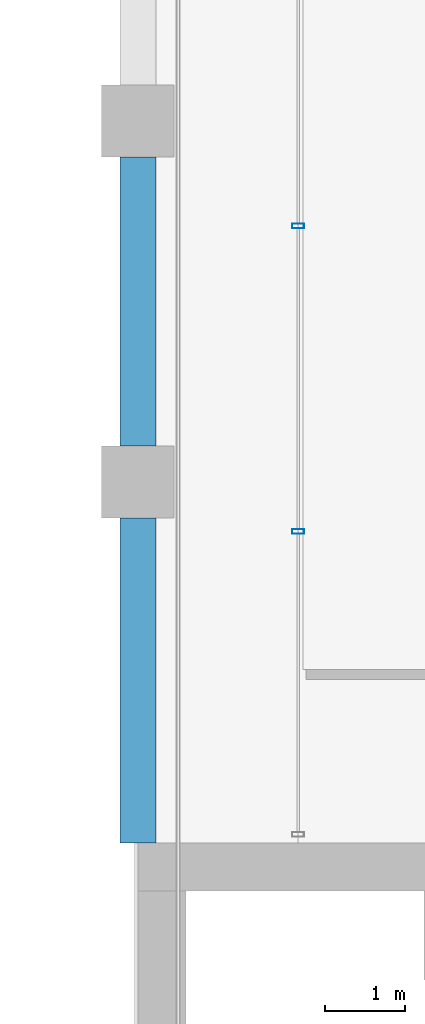
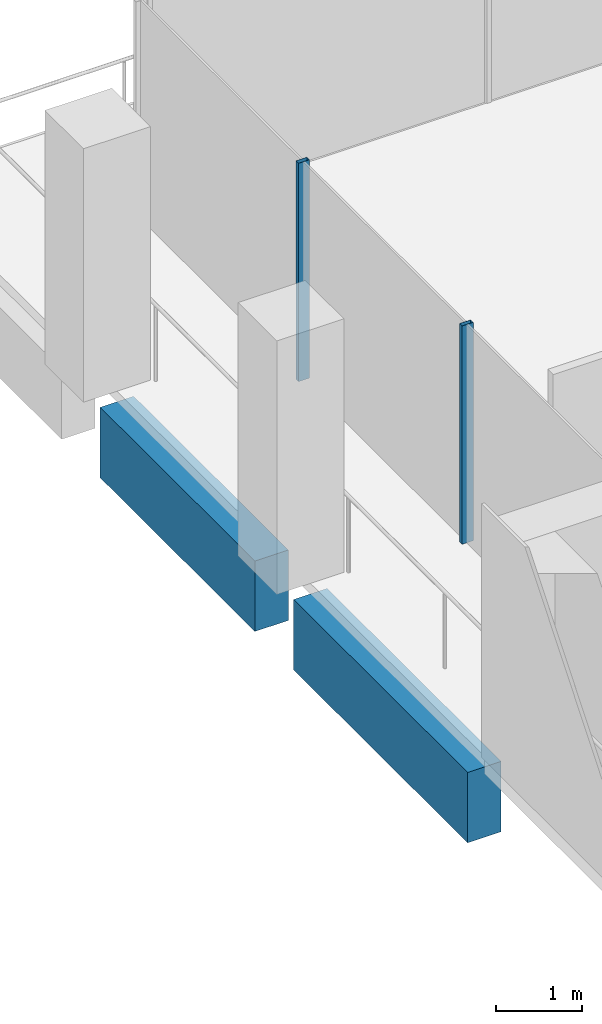
# One storey, part 20 of 40: 2 beams, 2 members, 1 element without a shape of its own.
"""IFC4 building model written with IfcOpenShell, lengths in metres."""

import ifcopenshell
import ifcopenshell.guid

model = None  # the IFC model being written
_history = None  # IfcOwnerHistory: only IFC2X3 demands one
_inside = {}  # id of a spatial element -> (the spatial element, [elements in it])
_under = {}  # id of a project, library or spatial element -> (it, [spatial elements below it])
_declared = {}  # id of a project -> (the project, [libraries it declares])
_typed = {}  # id of a type object -> (the type object, [elements of that type])
_made_of = {}  # id of a material, layer set ... -> (it, [elements and type objects made of it])


def new_model(schema):
    """Start an empty IFC model of exactly this schema.

    Asked for "IFC4X3", IfcOpenShell would pick the latest addendum, in which some entities
    have other attributes; the version numbers below select the first issue.
    IFC2X3 requires an IfcOwnerHistory on every rooted entity: one is made here for all.
    """
    global model, _history
    if schema == "IFC4X3":
        model = ifcopenshell.file(schema_version=(4, 3, 0, 0))
    else:
        model = ifcopenshell.file(schema=schema)
    _inside.clear()
    _under.clear()
    _declared.clear()
    _typed.clear()
    _made_of.clear()
    _history = None
    if model.schema == "IFC2X3":
        org = make("IfcOrganization", Name="unknown")
        user = make(
            "IfcPersonAndOrganization",
            ThePerson=make("IfcPerson", FamilyName="unknown"),
            TheOrganization=org,
        )
        app = make(
            "IfcApplication",
            ApplicationDeveloper=org,
            Version="unknown",
            ApplicationFullName="unknown",
            ApplicationIdentifier="unknown",
        )
        _history = make(
            "IfcOwnerHistory",
            OwningUser=user,
            OwningApplication=app,
            ChangeAction="ADDED",
            CreationDate=0,
        )
    return model


def make(cls, **values):
    """One entity of the class cls with the attributes given. An attribute that is None is left unset."""
    return model.create_entity(
        cls, **{name: value for name, value in values.items() if value is not None}
    )


def rooted(cls, **values):
    """An entity with a GlobalId (a new one), such as an element, a storey or a relation."""
    return make(cls, GlobalId=ifcopenshell.guid.new(), OwnerHistory=_history, **values)


def si_unit(unit_type, name, prefix=None):
    """IfcSIUnit, for example si_unit("LENGTHUNIT", "METRE", prefix="MILLI")."""
    return make("IfcSIUnit", UnitType=unit_type, Prefix=prefix, Name=name)


def assignment(units):
    """IfcUnitAssignment: the units of a project."""
    return None if units is None else make("IfcUnitAssignment", Units=units)


def point(xyz):
    """IfcCartesianPoint."""
    return None if xyz is None else make("IfcCartesianPoint", Coordinates=xyz)


def direction(xyz):
    """IfcDirection."""
    return None if xyz is None else make("IfcDirection", DirectionRatios=xyz)


def frame(location, z_axis=None, x_axis=None):
    """IfcAxis2Placement3D, a coordinate frame: its origin and axes. An axis left out is left unset."""
    return make(
        "IfcAxis2Placement3D",
        Location=point(location),
        Axis=direction(z_axis),
        RefDirection=direction(x_axis),
    )


def frame_2d(location, x_axis=None):
    """IfcAxis2Placement2D, a coordinate frame in the plane: its origin and x axis."""
    return make(
        "IfcAxis2Placement2D", Location=point(location), RefDirection=direction(x_axis)
    )


def origin():
    """The frame at (0, 0, 0) with its axes left unset."""
    return frame((0.0, 0.0, 0.0))


def origin_2d():
    """The frame at (0, 0) in the plane with its x axis left unset."""
    return frame_2d((0.0, 0.0))


def place(relative_to, where):
    """IfcLocalPlacement: puts the frame where relative to a parent placement (None: the world)."""
    return make(
        "IfcLocalPlacement", PlacementRelTo=relative_to, RelativePlacement=where
    )


def context(
    kind, dimensions, precision=None, world=None, true_north=None, identifier=None
):
    """IfcGeometricRepresentationContext, for example the 3D "Model" context."""
    return make(
        "IfcGeometricRepresentationContext",
        ContextIdentifier=identifier,
        ContextType=kind,
        CoordinateSpaceDimension=dimensions,
        Precision=precision,
        WorldCoordinateSystem=world,
        TrueNorth=true_north,
    )


def subcontext(parent, identifier, kind, view, scale=None):
    """IfcGeometricRepresentationSubContext, for example "Body" below "Model"."""
    return make(
        "IfcGeometricRepresentationSubContext",
        ContextIdentifier=identifier,
        ContextType=kind,
        ParentContext=parent,
        TargetScale=scale,
        TargetView=view,
    )


def project(units=None, contexts=None):
    """IfcProject with its units and contexts."""
    return rooted(
        "IfcProject",
        Name="project",
        RepresentationContexts=contexts,
        UnitsInContext=assignment(units),
    )


def spatial(cls, under=None, at=None, **own):
    """A site, building, storey or space (cls), placed at a placement, below another one or the project."""
    s = rooted(cls, ObjectPlacement=at, **own)
    if under is not None:
        _under.setdefault(under.id(), (under, []))[1].append(s)
    return s


def profile(cls, at=None, kind="AREA", **sizes):
    """A parametric profile (cls). Its sizes go by their IFC names, for example OverallWidth=200.0."""
    return make(cls, ProfileType=kind, Position=at, **sizes)


def rectangle(**sizes):
    """IfcRectangleProfileDef."""
    return profile("IfcRectangleProfileDef", **sizes)


def hollow_rectangle(**sizes):
    """IfcRectangleHollowProfileDef."""
    return profile("IfcRectangleHollowProfileDef", **sizes)


def extrude(swept, where, along, depth):
    """IfcExtrudedAreaSolid: the profile swept, set in the frame where, extruded along a direction by depth."""
    return make(
        "IfcExtrudedAreaSolid",
        SweptArea=swept,
        Position=where,
        ExtrudedDirection=direction(along),
        Depth=depth,
    )


def shape(context_of_items, identifier, shape_type, items):
    """IfcShapeRepresentation: the items that make up one representation, for example the "Body"."""
    return make(
        "IfcShapeRepresentation",
        ContextOfItems=context_of_items,
        RepresentationIdentifier=identifier,
        RepresentationType=shape_type,
        Items=items,
    )


def material(Name=None, Category=None):
    """IfcMaterial."""
    return make("IfcMaterial", Name=Name, Category=Category)


def material_profile(
    of_material, cross_section, Name=None, Category=None, Priority=None
):
    """IfcMaterialProfile: a cross section and its material."""
    return make(
        "IfcMaterialProfile",
        Name=Name,
        Material=of_material,
        Profile=cross_section,
        Priority=Priority,
        Category=Category,
    )


def profile_set(profiles, Name=None, composite=None):
    """IfcMaterialProfileSet."""
    return make(
        "IfcMaterialProfileSet",
        Name=Name,
        MaterialProfiles=profiles,
        CompositeProfile=composite,
    )


def made_of(thing, what):
    """Note that an element or type object is made of a material, layer set ...; save() writes the relation."""
    if what is not None:
        _made_of.setdefault(what.id(), (what, []))[1].append(thing)
    return thing


def type_object(cls, material=None, **own):
    """A type object (cls), such as IfcWallType, which elements share."""
    return made_of(rooted(cls, **own), material)


def element(
    cls,
    number,
    at=None,
    inside=None,
    cuts=None,
    type_object=None,
    material=None,
    context=None,
    identifier="Body",
    shape_type=None,
    held_by="IfcProductDefinitionShape",
    body=None,
    shapes=None,
    **own,
):
    """One element of the class cls, such as IfcWall. Its Tag is "e" and its number.

    at: its placement. inside: the storey or other place that contains it. cuts: it is an
    opening in that element (IfcRelVoidsElement). A single representation is given by context,
    identifier, shape_type and body (its items); several are given by shapes. held_by: the class
    of the entity that holds the representations. save() writes the other relations.
    """
    e = rooted(cls, Tag="e%d" % number, ObjectPlacement=at, **own)
    if body is not None:
        shapes = [shape(context, identifier, shape_type, body)]
    if shapes is not None:
        e.Representation = make(held_by, Representations=shapes)
    if inside is not None:
        _inside.setdefault(inside.id(), (inside, []))[1].append(e)
    if cuts is not None:
        rooted(
            "IfcRelVoidsElement", RelatingBuildingElement=cuts, RelatedOpeningElement=e
        )
    if type_object is not None:
        _typed.setdefault(type_object.id(), (type_object, []))[1].append(e)
    return made_of(e, material)


def aggregate(whole, parts):
    """IfcRelAggregates: a whole, such as a stair, and the parts it consists of."""
    return rooted("IfcRelAggregates", RelatingObject=whole, RelatedObjects=parts)


def save(model, path):
    """Write the relations noted so far, then the file.

    IfcRelAggregates (storeys below a building ...), IfcRelContainedInSpatialStructure (elements
    in a storey), IfcRelDefinesByType, IfcRelAssociatesMaterial and IfcRelDeclares: one each for
    every whole, place, type object, material and project.
    """
    for whole, parts in _under.values():
        aggregate(whole, parts)
    for where, things in _inside.values():
        rooted(
            "IfcRelContainedInSpatialStructure",
            RelatedElements=things,
            RelatingStructure=where,
        )
    for kind, things in _typed.values():
        rooted("IfcRelDefinesByType", RelatedObjects=things, RelatingType=kind)
    for what, things in _made_of.values():
        rooted("IfcRelAssociatesMaterial", RelatedObjects=things, RelatingMaterial=what)
    for by, libraries in _declared.values():
        rooted("IfcRelDeclares", RelatingContext=by, RelatedDefinitions=libraries)
    model.write(path)


model = new_model("IFC4")

# Units and contexts
model_context = context("Model", 3, precision=1e-05, world=origin(), true_north=direction((0.0, 1.0)))
body_context = subcontext(model_context, "Body", "Model", "MODEL_VIEW")
ifc_project = project(units=[si_unit("LENGTHUNIT", "METRE"), si_unit("AREAUNIT", "SQUARE_METRE"), si_unit("VOLUMEUNIT", "CUBIC_METRE"), si_unit("PLANEANGLEUNIT", "RADIAN"), si_unit("MASSUNIT", "GRAM", prefix="KILO")], contexts=[model_context])

# Site, building, storey
site_placement = place(None, origin())
site = spatial("IfcSite", under=ifc_project, at=site_placement, CompositionType="ELEMENT")
building_placement = place(site_placement, origin())
building = spatial("IfcBuilding", under=site, at=building_placement, Name="Altepetl Exchange Towers", CompositionType="ELEMENT")
storey_placement = place(building_placement, frame((0.0, 0.0, 165.39990234375)))
storey = spatial("IfcBuildingStorey", under=building, at=storey_placement, Name="L41", CompositionType="ELEMENT", Elevation=165.39990234375)

# Curtain wall, members
ifc_material_1 = material(Name="Aluminium 6063-T6 glazing", Category="aluminium")
curtain_wall_type = type_object("IfcCurtainWallType", Name="Loggia glazing system", PredefinedType="NOTDEFINED", material=ifc_material_1)
curtain_wall_placement = place(storey_placement, origin())
curtain_wall = element("IfcCurtainWall", 1, at=curtain_wall_placement, inside=storey, type_object=curtain_wall_type, Name="CW1 run", PredefinedType="NOTDEFINED")
ifc_material_2 = material(Name="Aluminium 6063-T6", Category="aluminium")
ifc_material_profile_1 = material_profile(ifc_material_2, hollow_rectangle(XDim=0.06005859375, YDim=0.14990234375, WallThickness=0.0029296875, at=origin_2d()), Name="Mullion 60x150 aluminium")
ifc_profile_set_1 = profile_set([ifc_material_profile_1], Name="Aluminium 6063-T6")
member_type = type_object("IfcMemberType", Name="Mullion 60x150 aluminium", PredefinedType="MULLION", material=ifc_profile_set_1)
member_1_placement = place(storey_placement, frame((42.5, 66.191650390625, 0.0), z_axis=(0.0, 0.0, 1.0), x_axis=(0.0, -1.0, 0.0)))
member_1 = element("IfcMember", 2, at=member_1_placement, type_object=member_type, Name="MU1 mullion", PredefinedType="MULLION", context=body_context, shape_type="SweptSolid", body=[
    extrude(hollow_rectangle(XDim=0.06005859375, YDim=0.14990234375, WallThickness=0.0029296875, at=origin_2d()), origin(), (0.0, 0.0, 1.0), 3.10009765625),
])
member_2_placement = place(storey_placement, frame((42.5, 62.38330078125, 0.0), z_axis=(0.0, 0.0, 1.0), x_axis=(0.0, -1.0, 0.0)))
member_2 = element("IfcMember", 3, at=member_2_placement, type_object=member_type, Name="MU1 mullion", PredefinedType="MULLION", context=body_context, shape_type="SweptSolid", body=[
    extrude(hollow_rectangle(XDim=0.06005859375, YDim=0.14990234375, WallThickness=0.0029296875, at=origin_2d()), origin(), (0.0, 0.0, 1.0), 3.10009765625),
])
aggregate(curtain_wall, [member_1, member_2])

# Beams
ifc_material_3 = material(Name="Concrete C50/60 precast with tezontle facing", Category="concrete")
ifc_material_profile_2 = material_profile(ifc_material_3, rectangle(XDim=0.449951171875, YDim=1.0, at=origin_2d()), Name="450 x 1000")
ifc_profile_set_2 = profile_set([ifc_material_profile_2], Name="Concrete C50/60 precast with tezontle facing")
beam_type = type_object("IfcBeamType", Name="Spandrel beam 450x1000 tezontle", PredefinedType="SPANDREL", material=ifc_profile_set_2)
beam_1_placement = place(storey_placement, frame((40.5, 67.050048828125, -0.64990234375), z_axis=(0.0, -1.0, 0.0), x_axis=(1.0, 0.0, 0.0)))
element("IfcBeam", 4, at=beam_1_placement, inside=storey, type_object=beam_type, Name="sp:A:L41:031", PredefinedType="SPANDREL", context=body_context, shape_type="SweptSolid", body=[
    extrude(rectangle(XDim=0.449951171875, YDim=1.0, at=origin_2d()), origin(), (0.0, 0.0, 1.0), 3.60009765625),
])
beam_2_placement = place(storey_placement, frame((40.5, 62.550048828125, -0.64990234375), z_axis=(0.0, -1.0, 0.0), x_axis=(1.0, 0.0, 0.0)))
element("IfcBeam", 5, at=beam_2_placement, inside=storey, type_object=beam_type, Name="sp:A:L41:032", PredefinedType="SPANDREL", context=body_context, shape_type="SweptSolid", body=[
    extrude(rectangle(XDim=0.449951171875, YDim=1.0, at=origin_2d()), origin(), (0.0, 0.0, 1.0), 4.050048828125),
])

save(model, "model.ifc")
